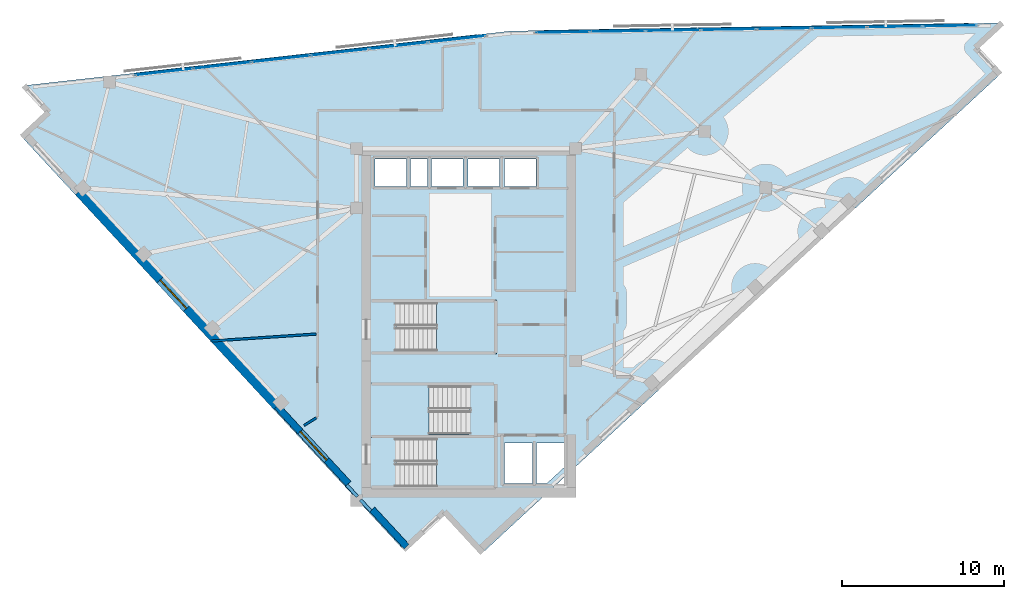
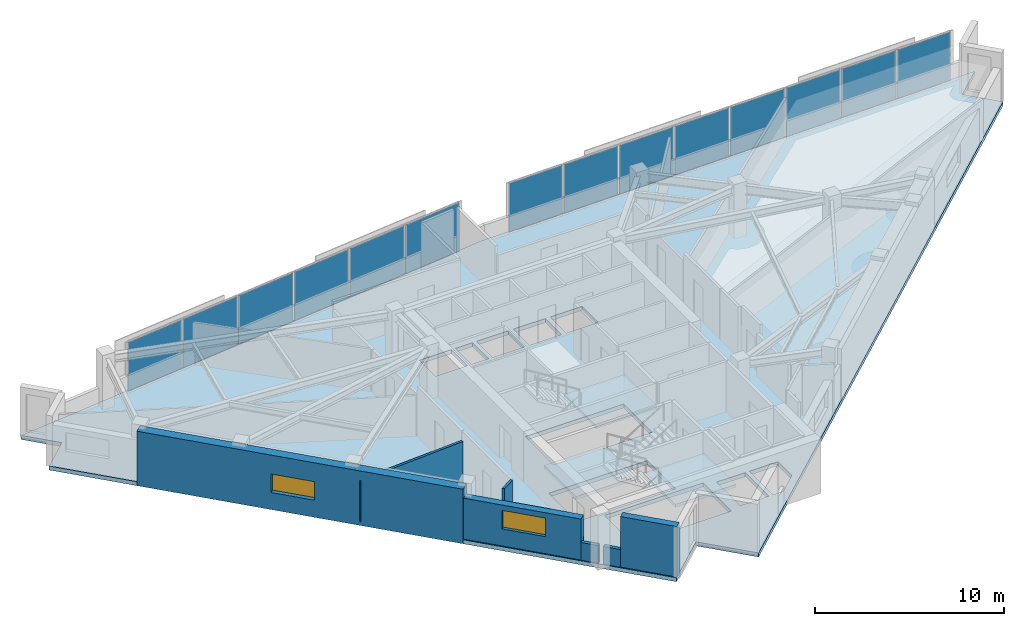
# One storey, part 7 of 13: 16 plates, 7 walls, 4 slabs, 2 windows, 2 openings, 5 elements without a shape of their own.
"""IFC4 building model written with IfcOpenShell, lengths in metres."""

from ifc_helpers import new_model, si_unit, direction, frame, frame_2d, origin, origin_2d, place, context, subcontext, project, spatial, polyline, rectangle, outline, extrude, material, layer, layer_set, type_object, element, fill, aggregate, save


model = new_model("IFC4")

# Units and contexts
model_context = context("Model", 3, precision=1e-05, world=origin(), true_north=direction((0.0, 1.0)))
body_context = subcontext(model_context, "Body", "Model", "MODEL_VIEW")
ifc_project = project(units=[si_unit("LENGTHUNIT", "METRE"), si_unit("AREAUNIT", "SQUARE_METRE"), si_unit("VOLUMEUNIT", "CUBIC_METRE"), si_unit("PLANEANGLEUNIT", "RADIAN"), si_unit("MASSUNIT", "GRAM", prefix="KILO")], contexts=[model_context])

# Site, building, storey
site_placement = place(None, origin())
site = spatial("IfcSite", under=ifc_project, at=site_placement, CompositionType="ELEMENT")
building_placement = place(site_placement, origin())
building = spatial("IfcBuilding", under=site, at=building_placement, Name="Narakoshi Arena Tower", CompositionType="ELEMENT")
storey_placement = place(building_placement, frame((0.0, 0.0, 264.260009765625)))
storey = spatial("IfcBuildingStorey", under=building, at=storey_placement, Name="L72", CompositionType="ELEMENT", Elevation=264.260009765625)

# Curtain wall, plates
ifc_material_1 = material(Name="Anodised bronze aluminium 6063-T6", Category="aluminium")
curtain_wall_type = type_object("IfcCurtainWallType", Name="CW-HYP-HIGH", PredefinedType="NOTDEFINED", material=ifc_material_1)
curtain_wall_1_placement = place(storey_placement, origin())
curtain_wall_1 = element("IfcCurtainWall", 1, at=curtain_wall_1_placement, inside=storey, type_object=curtain_wall_type, Name="L72 Folded Hypotenuse Curtain Wall 1-1", PredefinedType="NOTDEFINED")
ifc_material_2 = material(Name="Bronze-tinted low-E laminated glass", Category="glass")
ifc_layer_1 = layer(ifc_material_2, 0.0439453125)
ifc_layer_set_1 = layer_set([ifc_layer_1], Name="Bronze-tinted low-E laminated glass")
plate_type_1 = type_object("IfcPlateType", Name="PLT-GLZ-44", PredefinedType="CURTAIN_PANEL", material=ifc_layer_set_1)
plate_1_placement = place(storey_placement, frame((108.725341796875, 64.08984375, 0.06494140625), z_axis=(0.0, 0.0, 1.0), x_axis=(-0.999864804777, -0.016442997569, 0.0)))
plate_1 = element("IfcPlate", 2, at=plate_1_placement, type_object=plate_type_1, Name="CW-03 panel 1.1", PredefinedType="CURTAIN_PANEL", context=body_context, shape_type="SweptSolid", body=[
    extrude(rectangle(XDim=3.307861328125, YDim=0.0439453125, at=origin_2d()), origin(), (0.0, 0.0, 1.0), 3.1298828125),
])
plate_2_placement = place(storey_placement, frame((105.31787109375, 64.033935546875, 0.06494140625), z_axis=(0.0, 0.0, 1.0), x_axis=(-0.999864804777, -0.016442997569, 0.0)))
plate_2 = element("IfcPlate", 3, at=plate_2_placement, type_object=plate_type_1, Name="CW-03 panel 2.1", PredefinedType="CURTAIN_PANEL", context=body_context, shape_type="SweptSolid", body=[
    extrude(rectangle(XDim=3.34765625, YDim=0.0439453125, at=origin_2d()), origin(), (0.0, 0.0, 1.0), 3.1298828125),
])
plate_3_placement = place(storey_placement, frame((101.890625, 63.9775390625, 0.06494140625), z_axis=(0.0, 0.0, 1.0), x_axis=(-0.999864804777, -0.016442997569, 0.0)))
plate_3 = element("IfcPlate", 4, at=plate_3_placement, type_object=plate_type_1, Name="CW-03 panel 3.1", PredefinedType="CURTAIN_PANEL", context=body_context, shape_type="SweptSolid", body=[
    extrude(rectangle(XDim=3.34765625, YDim=0.0439453125, at=origin_2d()), origin(), (0.0, 0.0, 1.0), 3.1298828125),
])
plate_4_placement = place(storey_placement, frame((98.46337890625, 63.921142578125, 0.06494140625), z_axis=(0.0, 0.0, 1.0), x_axis=(-0.999864804777, -0.016442997569, 0.0)))
plate_4 = element("IfcPlate", 5, at=plate_4_placement, type_object=plate_type_1, Name="CW-03 panel 4.1", PredefinedType="CURTAIN_PANEL", context=body_context, shape_type="SweptSolid", body=[
    extrude(rectangle(XDim=3.34765625, YDim=0.0439453125, at=origin_2d()), origin(), (0.0, 0.0, 1.0), 3.1298828125),
])
plate_5_placement = place(storey_placement, frame((95.0361328125, 63.86474609375, 0.06494140625), z_axis=(0.0, 0.0, 1.0), x_axis=(-0.999864804777, -0.016442997569, 0.0)))
plate_5 = element("IfcPlate", 6, at=plate_5_placement, type_object=plate_type_1, Name="CW-03 panel 5.1", PredefinedType="CURTAIN_PANEL", context=body_context, shape_type="SweptSolid", body=[
    extrude(rectangle(XDim=3.34765625, YDim=0.0439453125, at=origin_2d()), origin(), (0.0, 0.0, 1.0), 3.1298828125),
])
plate_6_placement = place(storey_placement, frame((91.60888671875, 63.808349609375, 0.06494140625), z_axis=(0.0, 0.0, 1.0), x_axis=(-0.999864804777, -0.016442997569, 0.0)))
plate_6 = element("IfcPlate", 7, at=plate_6_placement, type_object=plate_type_1, Name="CW-03 panel 6.1", PredefinedType="CURTAIN_PANEL", context=body_context, shape_type="SweptSolid", body=[
    extrude(rectangle(XDim=3.34765625, YDim=0.0439453125, at=origin_2d()), origin(), (0.0, 0.0, 1.0), 3.1298828125),
])
plate_7_placement = place(storey_placement, frame((88.181640625, 63.751953125, 0.06494140625), z_axis=(0.0, 0.0, 1.0), x_axis=(-0.999864804777, -0.016442997569, 0.0)))
plate_7 = element("IfcPlate", 8, at=plate_7_placement, type_object=plate_type_1, Name="CW-03 panel 7.1", PredefinedType="CURTAIN_PANEL", context=body_context, shape_type="SweptSolid", body=[
    extrude(rectangle(XDim=3.34765625, YDim=0.0439453125, at=origin_2d()), origin(), (0.0, 0.0, 1.0), 3.1298828125),
])
plate_8_placement = place(storey_placement, frame((84.774169921875, 63.696044921875, 0.06494140625), z_axis=(0.0, 0.0, 1.0), x_axis=(-0.999864804777, -0.016442997569, 0.0)))
plate_8 = element("IfcPlate", 9, at=plate_8_placement, type_object=plate_type_1, Name="CW-03 panel 8.1", PredefinedType="CURTAIN_PANEL", context=body_context, shape_type="SweptSolid", body=[
    extrude(rectangle(XDim=3.307861328125, YDim=0.0439453125, at=origin_2d()), origin(), (0.0, 0.0, 1.0), 3.1298828125),
])
aggregate(curtain_wall_1, [plate_1, plate_2, plate_3, plate_4, plate_5, plate_6, plate_7, plate_8])

curtain_wall_2_placement = place(storey_placement, origin())
curtain_wall_2 = element("IfcCurtainWall", 10, at=curtain_wall_2_placement, inside=storey, type_object=curtain_wall_type, Name="L72 Folded Hypotenuse Curtain Wall 2-1", PredefinedType="NOTDEFINED")
plate_9_placement = place(storey_placement, frame((78.222900390625, 63.2705078125, 0.06494140625), z_axis=(0.0, 0.0, 1.0), x_axis=(-0.9937760415, -0.111396496086, 0.0)))
plate_9 = element("IfcPlate", 11, at=plate_9_placement, type_object=plate_type_1, Name="CW-03 panel 1.1", PredefinedType="CURTAIN_PANEL", context=body_context, shape_type="SweptSolid", body=[
    extrude(rectangle(XDim=3.540283203125, YDim=0.0439453125, at=origin_2d()), origin(), (0.0, 0.0, 1.0), 3.1298828125),
])
plate_10_placement = place(storey_placement, frame((74.605224609375, 62.864990234375, 0.06494140625), z_axis=(0.0, 0.0, 1.0), x_axis=(-0.9937760415, -0.111396496086, 0.0)))
plate_10 = element("IfcPlate", 12, at=plate_10_placement, type_object=plate_type_1, Name="CW-03 panel 2.1", PredefinedType="CURTAIN_PANEL", context=body_context, shape_type="SweptSolid", body=[
    extrude(rectangle(XDim=3.580322265625, YDim=0.0439453125, at=origin_2d()), origin(), (0.0, 0.0, 1.0), 3.1298828125),
])
plate_11_placement = place(storey_placement, frame((70.967529296875, 62.45703125, 0.06494140625), z_axis=(0.0, 0.0, 1.0), x_axis=(-0.9937760415, -0.111396496086, 0.0)))
plate_11 = element("IfcPlate", 13, at=plate_11_placement, type_object=plate_type_1, Name="CW-03 panel 3.1", PredefinedType="CURTAIN_PANEL", context=body_context, shape_type="SweptSolid", body=[
    extrude(rectangle(XDim=3.580322265625, YDim=0.0439453125, at=origin_2d()), origin(), (0.0, 0.0, 1.0), 3.1298828125),
])
plate_12_placement = place(storey_placement, frame((67.330078125, 62.04931640625, 0.06494140625), z_axis=(0.0, 0.0, 1.0), x_axis=(-0.9937760415, -0.111396496086, 0.0)))
plate_12 = element("IfcPlate", 14, at=plate_12_placement, type_object=plate_type_1, Name="CW-03 panel 4.1", PredefinedType="CURTAIN_PANEL", context=body_context, shape_type="SweptSolid", body=[
    extrude(rectangle(XDim=3.580322265625, YDim=0.0439453125, at=origin_2d()), origin(), (0.0, 0.0, 1.0), 3.1298828125),
])
plate_13_placement = place(storey_placement, frame((63.6923828125, 61.6416015625, 0.06494140625), z_axis=(0.0, 0.0, 1.0), x_axis=(-0.9937760415, -0.111396496086, 0.0)))
plate_13 = element("IfcPlate", 15, at=plate_13_placement, type_object=plate_type_1, Name="CW-03 panel 5.1", PredefinedType="CURTAIN_PANEL", context=body_context, shape_type="SweptSolid", body=[
    extrude(rectangle(XDim=3.580322265625, YDim=0.0439453125, at=origin_2d()), origin(), (0.0, 0.0, 1.0), 3.1298828125),
])
plate_14_placement = place(storey_placement, frame((60.07470703125, 61.236083984375, 0.06494140625), z_axis=(0.0, 0.0, 1.0), x_axis=(-0.9937760415, -0.111396496086, 0.0)))
plate_14 = element("IfcPlate", 16, at=plate_14_placement, type_object=plate_type_1, Name="CW-03 panel 6.1", PredefinedType="CURTAIN_PANEL", context=body_context, shape_type="SweptSolid", body=[
    extrude(rectangle(XDim=3.540283203125, YDim=0.0439453125, at=origin_2d()), origin(), (0.0, 0.0, 1.0), 3.1298828125),
])
aggregate(curtain_wall_2, [plate_9, plate_10, plate_11, plate_12, plate_13, plate_14])

# Plates
ifc_layer_2 = layer(ifc_material_1, 0.090087890625)
ifc_layer_set_2 = layer_set([ifc_layer_2], Name="Anodised bronze aluminium 6063-T6")
plate_type_2 = type_object("IfcPlateType", Name="PLT-SPD-90", PredefinedType="SHEET", material=ifc_layer_set_2)
plate_15_placement = place(storey_placement, frame((96.748291015625, 63.972900390625, -0.369873046875), z_axis=(0.0, 0.0, 1.0), x_axis=(-0.999864849778, -0.016440260879, 0.0)))
element("IfcPlate", 17, at=plate_15_placement, inside=storey, type_object=plate_type_2, Name="L72 Transfer Fascia Bronze Spandrel Panel 1", PredefinedType="SHEET", context=body_context, shape_type="SweptSolid", body=[
    extrude(rectangle(XDim=26.221923828125, YDim=0.090087890625, at=origin_2d()), origin(), (0.0, 0.0, 1.0), 0.3798828125),
])
plate_16_placement = place(storey_placement, frame((68.916259765625, 62.3076171875, -0.369873046875), z_axis=(0.0, 0.0, 1.0), x_axis=(-0.993775698738, -0.111399553846, 0.0)))
element("IfcPlate", 18, at=plate_16_placement, inside=storey, type_object=plate_type_2, Name="L72 Transfer Fascia Bronze Spandrel Panel 2", PredefinedType="SHEET", context=body_context, shape_type="SweptSolid", body=[
    extrude(rectangle(XDim=21.212158203125, YDim=0.090087890625, at=origin_2d()), origin(), (0.0, 0.0, 1.0), 0.3798828125),
])

# Stair, slab
ifc_material_3 = material(Name="Concrete C45/55", Category="concrete")
stair_type = type_object("IfcStairType", Name="STR-CORE-352", PredefinedType="TWO_STRAIGHT_RUN_STAIR", material=ifc_material_3)
stair_1_placement = place(storey_placement, origin())
stair_1 = element("IfcStair", 19, at=stair_1_placement, inside=storey, type_object=stair_type, Name="L72 Core Escape Stair ST1", PredefinedType="TWO_STRAIGHT_RUN_STAIR")
ifc_layer_3 = layer(ifc_material_3, 0.18994140625)
ifc_layer_set_3 = layer_set([ifc_layer_3], Name="Concrete C45/55")
slab_type_1 = type_object("IfcSlabType", Name="SLB-LND-190", PredefinedType="LANDING", material=ifc_layer_set_3)
slab_1_placement = place(storey_placement, frame((0.0, 0.0, 1.570068359375)))
slab_1 = element("IfcSlab", 20, at=slab_1_placement, type_object=slab_type_1, Name="ST1 landing 1", PredefinedType="LANDING", context=body_context, shape_type="SweptSolid", body=[
    extrude(outline(polyline([(76.965087890625, 35.3701171875), (80.679931640625, 35.3701171875), (80.679931640625, 38.72998046875), (76.965087890625, 38.72998046875), (76.965087890625, 35.3701171875)])), origin(), (0.0, 0.0, 1.0), 0.18994140625),
])
aggregate(stair_1, [slab_1])

stair_2_placement = place(storey_placement, origin())
stair_2 = element("IfcStair", 21, at=stair_2_placement, inside=storey, type_object=stair_type, Name="L72 Core Escape Stair ST2", PredefinedType="TWO_STRAIGHT_RUN_STAIR")
slab_2_placement = place(storey_placement, frame((0.0, 0.0, 1.570068359375)))
slab_2 = element("IfcSlab", 22, at=slab_2_placement, type_object=slab_type_1, Name="ST2 landing 1", PredefinedType="LANDING", context=body_context, shape_type="SweptSolid", body=[
    extrude(outline(polyline([(72.77001953125, 38.6201171875), (76.485107421875, 38.6201171875), (76.485107421875, 41.97998046875), (72.77001953125, 41.97998046875), (72.77001953125, 38.6201171875)])), origin(), (0.0, 0.0, 1.0), 0.18994140625),
])
aggregate(stair_2, [slab_2])

stair_3_placement = place(storey_placement, origin())
stair_3 = element("IfcStair", 23, at=stair_3_placement, inside=storey, type_object=stair_type, Name="L72 Core Escape Stair ST3", PredefinedType="TWO_STRAIGHT_RUN_STAIR")
slab_3_placement = place(storey_placement, frame((0.0, 0.0, 1.570068359375)))
slab_3 = element("IfcSlab", 24, at=slab_3_placement, type_object=slab_type_1, Name="ST3 landing 1", PredefinedType="LANDING", context=body_context, shape_type="SweptSolid", body=[
    extrude(outline(polyline([(76.965087890625, 43.77001953125), (80.679931640625, 43.77001953125), (80.679931640625, 47.1298828125), (76.965087890625, 47.1298828125), (76.965087890625, 43.77001953125)])), origin(), (0.0, 0.0, 1.0), 0.18994140625),
])
aggregate(stair_3, [slab_3])

# Slab
ifc_material_4 = material(Name="Concrete C50/60", Category="concrete")
ifc_layer_4 = layer(ifc_material_4, 0.260009765625)
ifc_layer_set_4 = layer_set([ifc_layer_4], Name="Concrete C50/60")
slab_type_2 = type_object("IfcSlabType", Name="SLB-SKY-260", PredefinedType="FLOOR", material=ifc_layer_set_4)
slab_4_placement = place(storey_placement, frame((0.0, 0.0, -0.260009765625)))
element("IfcSlab", 25, at=slab_4_placement, inside=storey, type_object=slab_type_2, Name="L72 Structural Floor Slab", PredefinedType="FLOOR", context=body_context, shape_type="SweptSolid", body=[
    extrude(outline(polyline([(79.8056640625, 31.47216796875), (111.83154296875, 61.076416015625), (110.30078125, 62.732421875), (111.956787109375, 64.26318359375), (81.538818359375, 63.7626953125), (51.42333984375, 60.38720703125), (52.9541015625, 58.731201171875), (51.298095703125, 57.200439453125), (74.9033203125, 31.664794921875), (77.45068359375, 34.01953125), (79.8056640625, 31.47216796875)]), holes=[polyline([(80.5, 35.550048828125), (74.47998046875, 35.550048828125), (74.47998046875, 38.550048828125), (80.5, 38.550048828125), (80.5, 35.550048828125)]), polyline([(82.89990234375, 35.75), (81.14990234375, 35.75), (81.14990234375, 38.25), (82.89990234375, 38.25), (82.89990234375, 35.75)]), polyline([(84.89990234375, 36.794189453125), (83.7705078125, 35.75), (83.14990234375, 35.75), (83.14990234375, 38.25), (84.89990234375, 38.25), (84.89990234375, 36.794189453125)]), polyline([(72.949951171875, 38.800048828125), (72.949951171875, 41.800048828125), (78.969970703125, 41.800048828125), (78.969970703125, 38.800048828125), (72.949951171875, 38.800048828125)]), polyline([(74.47998046875, 43.949951171875), (74.47998046875, 46.949951171875), (80.5, 46.949951171875), (80.5, 43.949951171875), (74.47998046875, 43.949951171875)]), polyline([(75.10009765625, 54.14990234375), (73.14990234375, 54.14990234375), (73.14990234375, 55.85009765625), (75.10009765625, 55.85009765625), (75.10009765625, 54.14990234375)]), polyline([(76.39990234375, 54.14990234375), (75.35009765625, 54.14990234375), (75.35009765625, 55.85009765625), (76.39990234375, 55.85009765625), (76.39990234375, 54.14990234375)]), polyline([(78.60009765625, 54.14990234375), (76.64990234375, 54.14990234375), (76.64990234375, 55.85009765625), (78.60009765625, 55.85009765625), (78.60009765625, 54.14990234375)]), polyline([(78.89990234375, 54.14990234375), (78.89990234375, 55.85009765625), (80.85009765625, 55.85009765625), (80.85009765625, 54.14990234375), (78.89990234375, 54.14990234375)]), polyline([(81.14990234375, 54.14990234375), (81.14990234375, 55.85009765625), (83.10009765625, 55.85009765625), (83.10009765625, 54.14990234375), (81.14990234375, 54.14990234375)])]), origin(), (0.0, 0.0, 1.0), 0.260009765625),
])

# Wall, opening, window
ifc_layer_5 = layer(ifc_material_4, 0.550048828125)
ifc_layer_set_5 = layer_set([ifc_layer_5], Name="Concrete C50/60")
wall_type_1 = type_object("IfcWallType", Name="WL-LEG-550", PredefinedType="SHEAR", material=ifc_layer_set_5)
wall_1_placement = place(storey_placement, frame((54.804931640625, 53.81201171875, -0.260009765625), z_axis=(0.0, 0.0, 1.0), x_axis=(0.678803115619, -0.734320318543, 0.0)))
wall_1 = element("IfcWall", 26, at=wall_1_placement, inside=storey, type_object=wall_type_1, Name="L72 Architectural Concrete Structural Wall LEGB-2", PredefinedType="SHEAR", context=body_context, shape_type="SweptSolid", body=[
    extrude(rectangle(XDim=18.082763671875, YDim=0.550048828125, at=frame_2d((9.04150390625, 0.0))), origin(), (0.0, 0.0, 1.0), 3.52001953125),
])
opening_1_placement = place(wall_1_placement, frame((7.434326171875, 0.0, 1.10009765625)))
opening_1 = element("IfcOpeningElement", 27, at=opening_1_placement, cuts=wall_1, Name="Opening WN-04", PredefinedType="OPENING", context=body_context, shape_type="SweptSolid", body=[
    extrude(rectangle(XDim=2.39990234375, YDim=1.199951171875, at=frame_2d((1.199951171875, 0.60009765625))), frame((0.0, 0.284912109375, 0.0), z_axis=(0.0, -1.0, 0.0), x_axis=(1.0, 0.0, 0.0)), (0.0, 0.0, 1.0), 0.570068359375),
])
window_type = type_object("IfcWindowType", Name="WIN-SLT-24x12", PartitioningType="SINGLE_PANEL", PredefinedType="WINDOW", material=ifc_material_2)
window_1_placement = place(opening_1_placement, origin())
window_1 = element("IfcWindow", 28, at=window_1_placement, inside=storey, type_object=window_type, Name="L72 LEGB2 Horizontal Slot Window 1", OverallHeight=1.199951171875, OverallWidth=2.39990234375, PartitioningType="SINGLE_PANEL", PredefinedType="WINDOW", context=body_context, shape_type="SweptSolid", body=[
    extrude(rectangle(XDim=2.39990234375, YDim=1.199951171875, at=frame_2d((1.199951171875, 0.60009765625))), frame((0.0, 0.030029296875, 0.0), z_axis=(0.0, -1.0, 0.0), x_axis=(1.0, 0.0, 0.0)), (0.0, 0.0, 1.0), 0.06005859375),
])
fill(opening_1, window_1)

# Walls
ifc_material_5 = material(Name="Precast concrete C45/55", Category="concrete")
ifc_layer_6 = layer(ifc_material_5, 0.25)
ifc_layer_set_6 = layer_set([ifc_layer_6], Name="Precast concrete C45/55")
wall_type_2 = type_object("IfcWallType", Name="WL-PARA-250", PredefinedType="PARAPET", material=ifc_layer_set_6)
wall_2_placement = place(storey_placement, frame((72.881103515625, 34.058349609375, 0.0), z_axis=(0.0, 0.0, 1.0), x_axis=(-0.678651758246, 0.734460203843, 0.0)))
element("IfcWall", 29, at=wall_2_placement, inside=storey, type_object=wall_type_2, Name="L72 Crown Sill Upstand Parapet 01", PredefinedType="PARAPET", context=body_context, shape_type="SweptSolid", body=[
    extrude(rectangle(XDim=0.927490234375, YDim=0.199951171875, at=frame_2d((0.4638671875, 0.0))), origin(), (0.0, 0.0, 1.0), 1.14990234375),
])
wall_3_placement = place(storey_placement, frame((72.05908203125, 34.94775390625, 0.0), z_axis=(0.0, 0.0, 1.0), x_axis=(-0.678740051818, 0.734378609478, 0.0)))
element("IfcWall", 30, at=wall_3_placement, inside=storey, type_object=wall_type_2, Name="L72 Crown Sill Upstand Parapet 02", PredefinedType="PARAPET", context=body_context, shape_type="SweptSolid", body=[
    extrude(rectangle(XDim=0.9697265625, YDim=0.199951171875, at=frame_2d((0.48486328125, 0.0))), origin(), (0.0, 0.0, 1.0), 1.14990234375),
])

# Wall, opening, window
ifc_layer_7 = layer(ifc_material_5, 0.419921875)
ifc_layer_set_7 = layer_set([ifc_layer_7], Name="Precast concrete C45/55")
wall_type_3 = type_object("IfcWallType", Name="WL-POD-420", PredefinedType="SOLIDWALL", material=ifc_layer_set_7)
wall_4_placement = place(storey_placement, frame((67.07958984375, 40.533447265625, 0.0), z_axis=(0.0, 0.0, 1.0), x_axis=(0.678800006437, -0.734323192648, 0.0)))
wall_4 = element("IfcWall", 31, at=wall_4_placement, inside=storey, type_object=wall_type_3, Name="L72 Architectural Concrete Facade Wall LEGB-3", PredefinedType="SOLIDWALL", context=body_context, shape_type="SweptSolid", body=[
    extrude(rectangle(XDim=6.51220703125, YDim=0.419921875, at=frame_2d((3.256103515625, 0.0))), origin(), (0.0, 0.0, 1.0), 2.64501953125),
])
opening_2_placement = place(wall_4_placement, frame((2.128662109375, 0.0, 1.10009765625)))
opening_2 = element("IfcOpeningElement", 32, at=opening_2_placement, cuts=wall_4, Name="Opening WN-04", PredefinedType="OPENING", context=body_context, shape_type="SweptSolid", body=[
    extrude(rectangle(XDim=2.39990234375, YDim=1.199951171875, at=frame_2d((1.199951171875, 0.60009765625))), frame((0.0, 0.219970703125, 0.0), z_axis=(0.0, -1.0, 0.0), x_axis=(1.0, 0.0, 0.0)), (0.0, 0.0, 1.0), 0.43994140625),
])
window_2_placement = place(opening_2_placement, origin())
window_2 = element("IfcWindow", 33, at=window_2_placement, inside=storey, type_object=window_type, Name="L72 LEGB3 Horizontal Slot Window 1", OverallHeight=1.199951171875, OverallWidth=2.39990234375, PartitioningType="SINGLE_PANEL", PredefinedType="WINDOW", context=body_context, shape_type="SweptSolid", body=[
    extrude(rectangle(XDim=2.39990234375, YDim=1.199951171875, at=frame_2d((1.199951171875, 0.60009765625))), frame((0.0, 0.030029296875, 0.0), z_axis=(0.0, -1.0, 0.0), x_axis=(1.0, 0.0, 0.0)), (0.0, 0.0, 1.0), 0.06005859375),
])
fill(opening_2, window_2)

# Walls
wall_5_placement = place(storey_placement, frame((72.980224609375, 34.14990234375, 0.0), z_axis=(0.0, 0.0, 1.0), x_axis=(0.67879500555, -0.73432781538, 0.0)))
element("IfcWall", 34, at=wall_5_placement, inside=storey, type_object=wall_type_3, Name="L72 Architectural Concrete Facade Wall LEGB-4", PredefinedType="SOLIDWALL", context=body_context, shape_type="SweptSolid", body=[
    extrude(rectangle(XDim=3.130126953125, YDim=0.419921875, at=frame_2d((1.56494140625, 0.0))), origin(), (0.0, 0.0, 1.0), 3.260009765625),
])
ifc_material_6 = material(Name="Moisture-resistant cement-board partition")
ifc_layer_8 = layer(ifc_material_6, 0.14501953125)
ifc_layer_set_8 = layer_set([ifc_layer_8], Name="Moisture-resistant cement-board partition")
wall_type_4 = type_object("IfcWallType", Name="WL-WET-145", PredefinedType="PARTITIONING", material=ifc_layer_set_8)
wall_6_placement = place(storey_placement, frame((62.969482421875, 44.574462890625, 0.0), z_axis=(0.0, 0.0, 1.0), x_axis=(0.997814723426, 0.066074032078, 0.0)))
element("IfcWall", 35, at=wall_6_placement, inside=storey, type_object=wall_type_4, Name="L72 Inter-Room Partition 01-09", PredefinedType="PARTITIONING", context=body_context, shape_type="SweptSolid", body=[
    extrude(rectangle(XDim=6.554931640625, YDim=0.14501953125, at=frame_2d((3.27734375, 0.0))), origin(), (0.0, 0.0, 1.0), 2.64501953125),
])
wall_7_placement = place(storey_placement, frame((69.53466796875, 39.835693359375, 0.0), z_axis=(0.0, 0.0, 1.0), x_axis=(-0.848567125835, -0.529087736536, 0.0)))
element("IfcWall", 36, at=wall_7_placement, inside=storey, type_object=wall_type_4, Name="L72 Room Enclosure Partition 01-1", PredefinedType="PARTITIONING", context=body_context, shape_type="SweptSolid", body=[
    extrude(rectangle(XDim=0.91552734375, YDim=0.14501953125, at=frame_2d((0.457763671875, 0.0))), origin(), (0.0, 0.0, 1.0), 3.260009765625),
])

save(model, "model.ifc")
